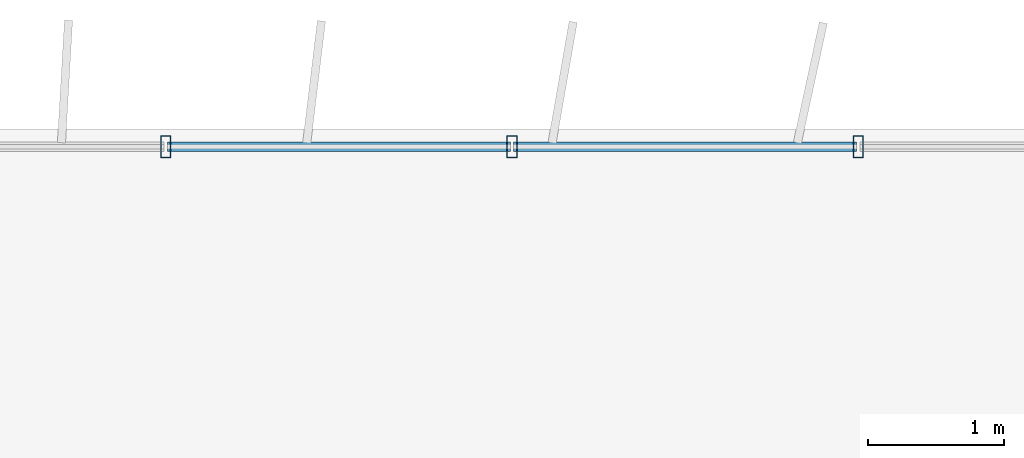
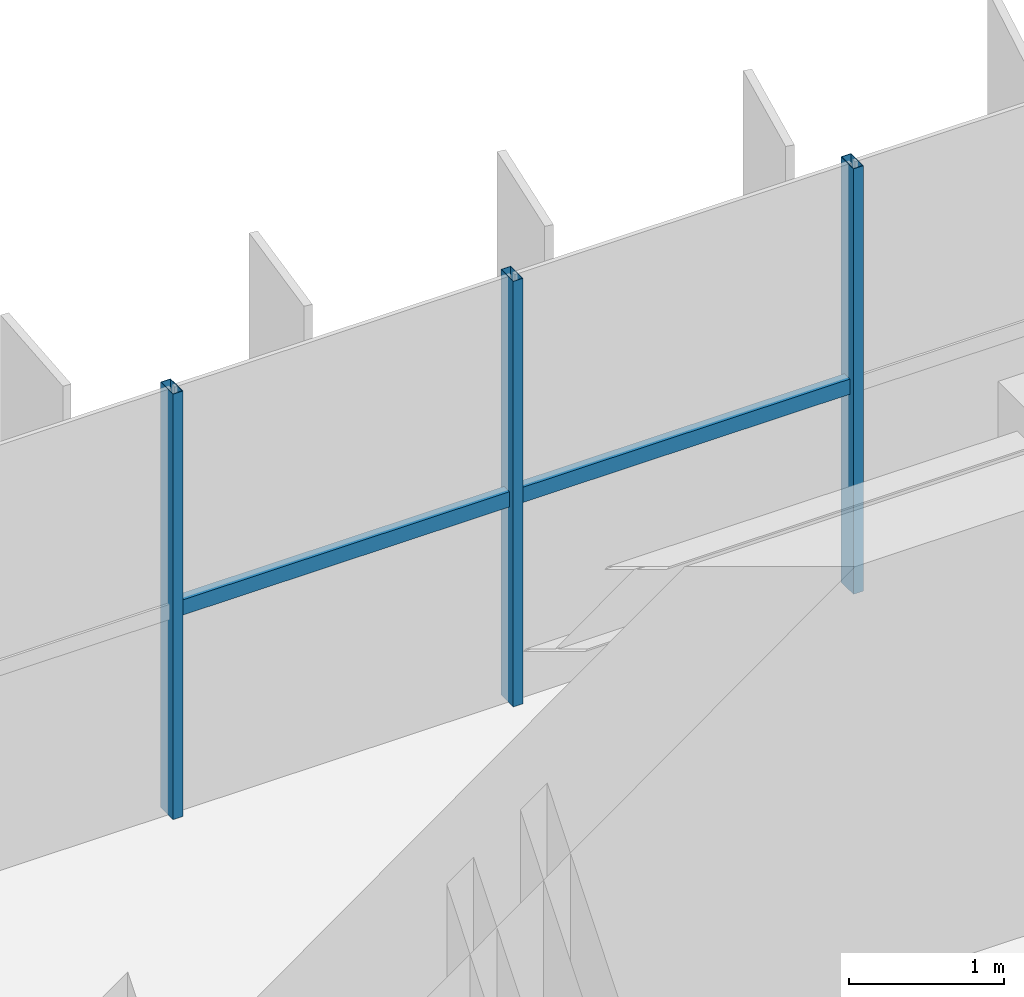
# One storey, part 8 of 23: 5 members, 1 element without a shape of its own.
"""IFC4 building model written with IfcOpenShell, lengths in metres."""

from ifc_helpers import new_model, si_unit, direction, frame, origin, origin_2d, place, context, subcontext, project, spatial, hollow_rectangle, extrude, source, transform, mapped, material, material_profile, profile_set, type_object, element, aggregate, save


model = new_model("IFC4")

# Units and contexts
model_context = context("Model", 3, precision=1e-05, world=origin(), true_north=direction((0.0, 1.0)))
body_context = subcontext(model_context, "Body", "Model", "MODEL_VIEW")
ifc_project = project(units=[si_unit("LENGTHUNIT", "METRE"), si_unit("AREAUNIT", "SQUARE_METRE"), si_unit("VOLUMEUNIT", "CUBIC_METRE"), si_unit("PLANEANGLEUNIT", "RADIAN"), si_unit("MASSUNIT", "GRAM", prefix="KILO")], contexts=[model_context])

# Site, building, storey
site_placement = place(None, origin())
site = spatial("IfcSite", under=ifc_project, at=site_placement, CompositionType="ELEMENT")
building_placement = place(site_placement, origin())
building = spatial("IfcBuilding", under=site, at=building_placement, Name="Trelvane Seafront Commons", CompositionType="ELEMENT")
storey_placement = place(building_placement, frame((0.0, 0.0, 219.300048828125)))
storey = spatial("IfcBuildingStorey", under=building, at=storey_placement, Name="L57", CompositionType="ELEMENT", Elevation=219.300048828125)

# Curtain wall, members
ifc_material = material(Name="Anodised pale-silver aluminium", Category="aluminium")
curtain_wall_type = type_object("IfcCurtainWallType", Name="ARCH-CW5-UPTOWER", PredefinedType="NOTDEFINED", material=ifc_material)
curtain_wall_placement = place(storey_placement, origin())
curtain_wall = element("IfcCurtainWall", 1, at=curtain_wall_placement, inside=storey, type_object=curtain_wall_type, Name="CW-L57-0100", PredefinedType="NOTDEFINED")
ifc_material_profile_1 = material_profile(ifc_material, hollow_rectangle(XDim=0.070068359375, YDim=0.1201171875, WallThickness=0.00390625, at=origin_2d()), Name="TRAN-70x120x4")
ifc_profile_set_1 = profile_set([ifc_material_profile_1], Name="Anodised pale-silver aluminium")
member_type_1 = type_object("IfcMemberType", Name="ARCH-CW-TRAN-120", PredefinedType="USERDEFINED", material=ifc_profile_set_1)
shared_shape_1 = source(origin(), body_context, "Body", "SweptSolid", [
    extrude(hollow_rectangle(XDim=0.070068359375, YDim=0.1201171875, WallThickness=0.00390625, at=origin_2d()), origin(), (0.0, 0.0, 1.0), 2.517333984375),
])
member_1_placement = place(storey_placement, frame((25.776611328125, 48.3701171875, 1.613037109375), z_axis=(1.0, 0.0, 0.0), x_axis=(0.0, 1.0, 0.0)))
member_1 = element("IfcMember", 2, at=member_1_placement, type_object=member_type_1, Name="CW-L57-0100-T04", ObjectType="TRANSOM", PredefinedType="USERDEFINED", context=body_context, shape_type="MappedRepresentation", body=[
    mapped(shared_shape_1, transform((0.0, 0.0, 0.0), x_axis=(1.0, 0.0, 0.0), y_axis=(0.0, 1.0, 0.0), z_axis=(0.0, 0.0, 1.0), scale=1.0)),
])
member_2_placement = place(storey_placement, frame((28.31787109375, 48.3701171875, 1.613037109375), z_axis=(1.0, 0.0, 0.0), x_axis=(0.0, 1.0, 0.0)))
member_2 = element("IfcMember", 3, at=member_2_placement, type_object=member_type_1, Name="CW-L57-0100-T05", ObjectType="TRANSOM", PredefinedType="USERDEFINED", context=body_context, shape_type="MappedRepresentation", body=[
    mapped(shared_shape_1, transform((0.0, 0.0, 0.0), x_axis=(1.0, 0.0, 0.0), y_axis=(0.0, 1.0, 0.0), z_axis=(0.0, 0.0, 1.0), scale=1.0)),
])
ifc_material_profile_2 = material_profile(ifc_material, hollow_rectangle(XDim=0.074951171875, YDim=0.159912109375, WallThickness=0.00390625, at=origin_2d()), Name="MULL-75x160x4")
ifc_profile_set_2 = profile_set([ifc_material_profile_2], Name="Anodised pale-silver aluminium")
member_type_2 = type_object("IfcMemberType", Name="ARCH-CW-MULL-160", PredefinedType="MULLION", material=ifc_profile_set_2)
shared_shape_2 = source(origin(), body_context, "Body", "SweptSolid", [
    extrude(hollow_rectangle(XDim=0.074951171875, YDim=0.159912109375, WallThickness=0.00390625, at=origin_2d()), origin(), (0.0, 0.0, 1.0), 3.35986328125),
])
member_3_placement = place(storey_placement, frame((25.7646484375, 48.3701171875, 0.0), z_axis=(0.0, 0.0, 1.0), x_axis=(1.0, 0.0, 0.0)))
member_3 = element("IfcMember", 4, at=member_3_placement, type_object=member_type_2, Name="CW-L57-0100-M04", PredefinedType="MULLION", context=body_context, shape_type="MappedRepresentation", body=[
    mapped(shared_shape_2, transform((0.0, 0.0, 0.0), x_axis=(1.0, 0.0, 0.0), y_axis=(0.0, 1.0, 0.0), z_axis=(0.0, 0.0, 1.0), scale=1.0)),
])
member_4_placement = place(storey_placement, frame((28.305908203125, 48.3701171875, 0.0), z_axis=(0.0, 0.0, 1.0), x_axis=(1.0, 0.0, 0.0)))
member_4 = element("IfcMember", 5, at=member_4_placement, type_object=member_type_2, Name="CW-L57-0100-M05", PredefinedType="MULLION", context=body_context, shape_type="MappedRepresentation", body=[
    mapped(shared_shape_2, transform((0.0, 0.0, 0.0), x_axis=(1.0, 0.0, 0.0), y_axis=(0.0, 1.0, 0.0), z_axis=(0.0, 0.0, 1.0), scale=1.0)),
])
member_5_placement = place(storey_placement, frame((30.84716796875, 48.3701171875, 0.0), z_axis=(0.0, 0.0, 1.0), x_axis=(1.0, 0.0, 0.0)))
member_5 = element("IfcMember", 6, at=member_5_placement, type_object=member_type_2, Name="CW-L57-0100-M06", PredefinedType="MULLION", context=body_context, shape_type="MappedRepresentation", body=[
    mapped(shared_shape_2, transform((0.0, 0.0, 0.0), x_axis=(1.0, 0.0, 0.0), y_axis=(0.0, 1.0, 0.0), z_axis=(0.0, 0.0, 1.0), scale=1.0)),
])
aggregate(curtain_wall, [member_3, member_4, member_5, member_1, member_2])

save(model, "model.ifc")
